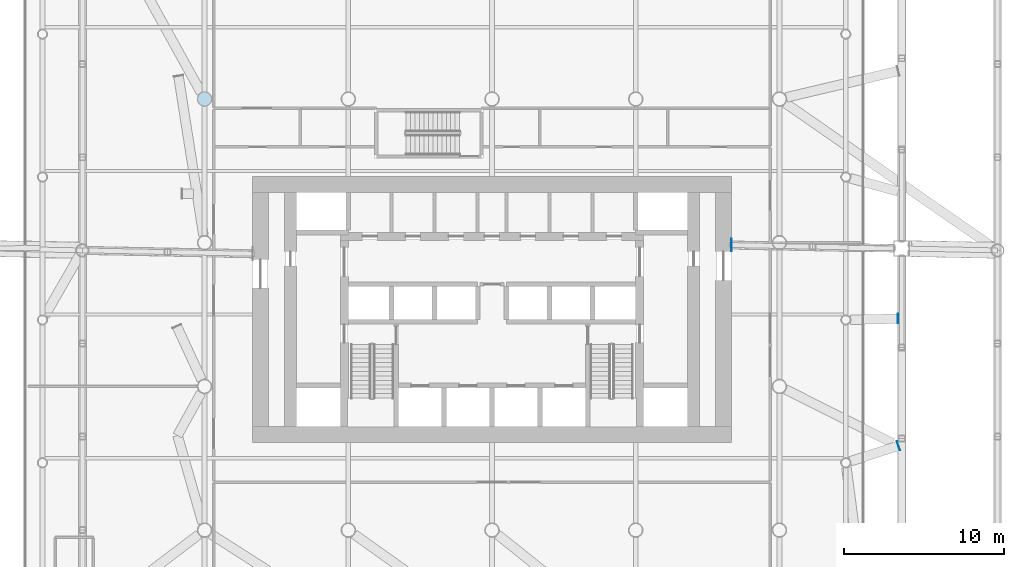
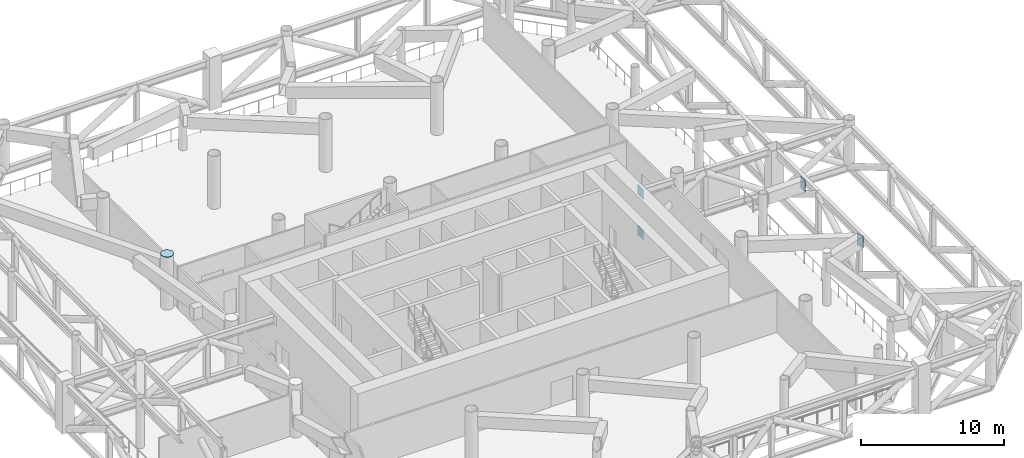
# One storey, part 11 of 22: 5 plates.
"""IFC4 building model written with IfcOpenShell, lengths in metres."""

from ifc_helpers import new_model, si_unit, direction, frame, origin, origin_2d, place, context, subcontext, project, spatial, rectangle, circle, extrude, material, material_profile, profile_set, type_object, element, save


model = new_model("IFC4")

# Units and contexts
model_context = context("Model", 3, precision=1e-05, world=origin(), true_north=direction((0.0, 1.0)))
body_context = subcontext(model_context, "Body", "Model", "MODEL_VIEW")
ifc_project = project(units=[si_unit("LENGTHUNIT", "METRE"), si_unit("AREAUNIT", "SQUARE_METRE"), si_unit("VOLUMEUNIT", "CUBIC_METRE"), si_unit("PLANEANGLEUNIT", "RADIAN"), si_unit("MASSUNIT", "GRAM", prefix="KILO")], contexts=[model_context])

# Site, building, storey
site_placement = place(None, origin())
site = spatial("IfcSite", under=ifc_project, at=site_placement, CompositionType="ELEMENT")
building_placement = place(site_placement, origin())
building = spatial("IfcBuilding", under=site, at=building_placement, Name="Tskaro Facet Tower", CompositionType="ELEMENT")
storey_placement = place(building_placement, frame((0.0, 0.0, 57.60009765625)))
storey = spatial("IfcBuildingStorey", under=building, at=storey_placement, Name="L13", CompositionType="ELEMENT", Elevation=57.60009765625)

# Plates
ifc_material = material(Name="Steel S355J2", Category="steel")
ifc_material_profile_1 = material_profile(ifc_material, rectangle(XDim=0.60009765625, YDim=1.0, at=origin_2d()), Name="PL 600x1000x30 end plate")
ifc_profile_set_1 = profile_set([ifc_material_profile_1], Name="Steel S355J2")
plate_type_1 = type_object("IfcPlateType", Name="PL 600x1000x30 end plate", PredefinedType="SHEET", material=ifc_profile_set_1)
for number, where, z_axis, x_axis, name in (
    (1, (25.4150390625, -4.755126953125, 3.579833984375), (0.999702690643, 0.024382992455, 0.0), (-0.024382992455, 0.999702690643, 0.0), "End plate CP8-06"),
    (2, (25.441650390625, -12.721923828125, 3.579833984375), (0.951093789288, 0.30890225635, 0.0), (-0.30890225635, 0.951093789288, 0.0), "End plate CP8-07"),
):
    element("IfcPlate", number, at=place(storey_placement, frame(where, z_axis=z_axis, x_axis=x_axis)), inside=storey, type_object=plate_type_1, Name=name, PredefinedType="SHEET", context=body_context, shape_type="SweptSolid", body=[
        extrude(rectangle(XDim=0.60009765625, YDim=1.0, at=origin_2d()), origin(), (0.0, 0.0, 1.0), 0.030029296875),
    ])
ifc_material_profile_2 = material_profile(ifc_material, rectangle(XDim=0.800048828125, YDim=0.800048828125, at=origin_2d()), Name="PL 800x800x30 cast-in plate")
ifc_profile_set_2 = profile_set([ifc_material_profile_2], Name="Steel S355J2")
plate_type_2 = type_object("IfcPlateType", Name="PL 800x800x30 cast-in plate", PredefinedType="SHEET", material=ifc_profile_set_2)
for number, where, z_axis, x_axis, name in (
    (3, (14.969970703125, -0.144775390625, 3.77001953125), (1.0, 0.0, 0.0), (0.0, 1.0, 0.0), "Cast-in plate AP1-01"),
    (4, (14.969970703125, -0.144775390625, 0.309814453125), (1.0, 0.0, 0.0), (0.0, 1.0, 0.0), "Cast-in plate AP1-02"),
):
    element("IfcPlate", number, at=place(storey_placement, frame(where, z_axis=z_axis, x_axis=x_axis)), inside=storey, type_object=plate_type_2, Name=name, PredefinedType="SHEET", context=body_context, shape_type="SweptSolid", body=[
        extrude(rectangle(XDim=0.800048828125, YDim=0.800048828125, at=origin_2d()), origin(), (0.0, 0.0, 1.0), 0.030029296875),
    ])
ifc_material_profile_3 = material_profile(ifc_material, circle(Radius=0.457275390625, at=origin_2d()), Name="PL 914 dia x30 end plate")
ifc_profile_set_3 = profile_set([ifc_material_profile_3], Name="Steel S355J2")
plate_type_3 = type_object("IfcPlateType", Name="PL 914 dia x30 end plate", PredefinedType="SHEET", material=ifc_profile_set_3)
plate_placement = place(storey_placement, frame((-18.0, 9.0, 4.5), z_axis=(0.0, 0.0, 1.0), x_axis=(1.0, 0.0, 0.0)))
element("IfcPlate", 5, at=plate_placement, inside=storey, type_object=plate_type_3, Name="End plate CP1-03", PredefinedType="SHEET", context=body_context, shape_type="SweptSolid", body=[
    extrude(circle(Radius=0.457275390625, at=origin_2d()), origin(), (0.0, 0.0, 1.0), 0.02978515625),
])

save(model, "model.ifc")
